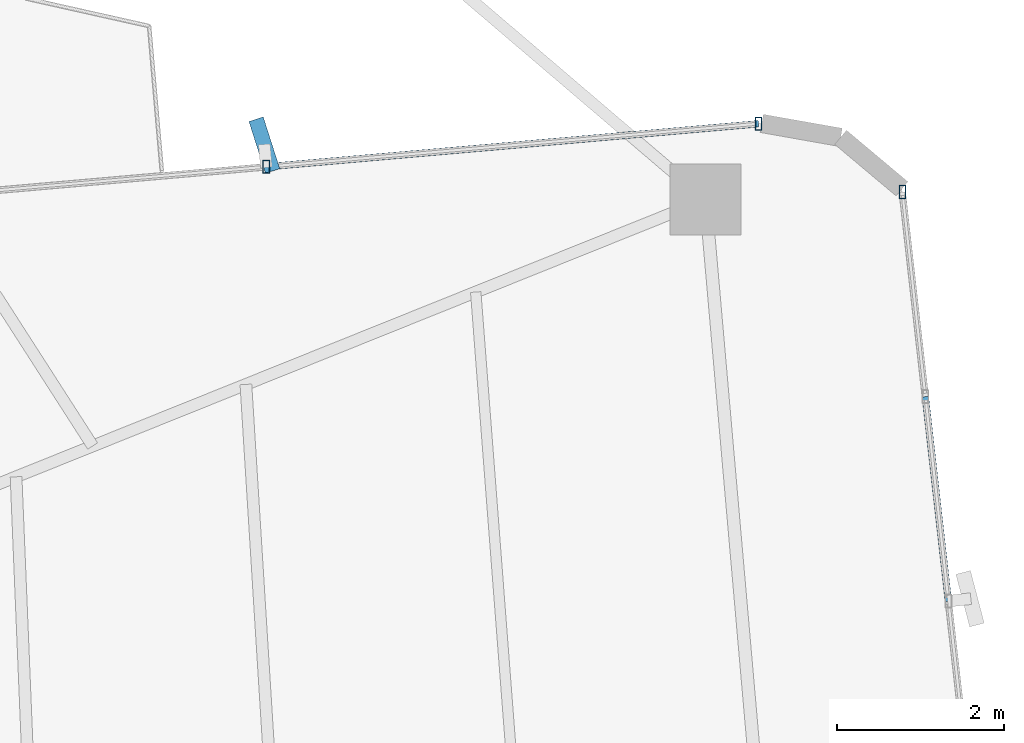
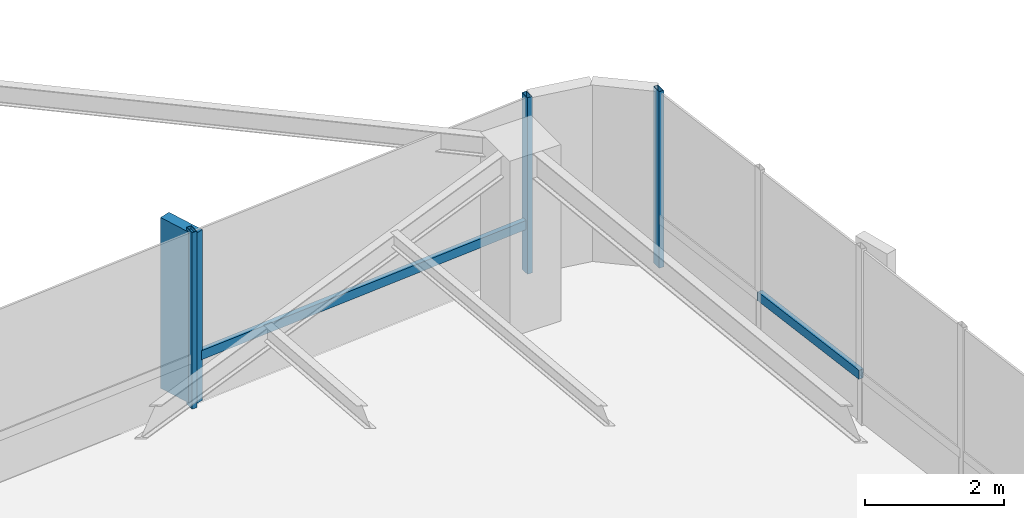
# One storey, part 15 of 24: 6 members, 2 elements without a shape of their own.
"""IFC4 building model written with IfcOpenShell, lengths in metres."""

import ifcopenshell
import ifcopenshell.guid

model = None  # the IFC model being written
_history = None  # IfcOwnerHistory: only IFC2X3 demands one
_inside = {}  # id of a spatial element -> (the spatial element, [elements in it])
_under = {}  # id of a project, library or spatial element -> (it, [spatial elements below it])
_declared = {}  # id of a project -> (the project, [libraries it declares])
_typed = {}  # id of a type object -> (the type object, [elements of that type])
_made_of = {}  # id of a material, layer set ... -> (it, [elements and type objects made of it])


def new_model(schema):
    """Start an empty IFC model of exactly this schema.

    Asked for "IFC4X3", IfcOpenShell would pick the latest addendum, in which some entities
    have other attributes; the version numbers below select the first issue.
    IFC2X3 requires an IfcOwnerHistory on every rooted entity: one is made here for all.
    """
    global model, _history
    if schema == "IFC4X3":
        model = ifcopenshell.file(schema_version=(4, 3, 0, 0))
    else:
        model = ifcopenshell.file(schema=schema)
    _inside.clear()
    _under.clear()
    _declared.clear()
    _typed.clear()
    _made_of.clear()
    _history = None
    if model.schema == "IFC2X3":
        org = make("IfcOrganization", Name="unknown")
        user = make(
            "IfcPersonAndOrganization",
            ThePerson=make("IfcPerson", FamilyName="unknown"),
            TheOrganization=org,
        )
        app = make(
            "IfcApplication",
            ApplicationDeveloper=org,
            Version="unknown",
            ApplicationFullName="unknown",
            ApplicationIdentifier="unknown",
        )
        _history = make(
            "IfcOwnerHistory",
            OwningUser=user,
            OwningApplication=app,
            ChangeAction="ADDED",
            CreationDate=0,
        )
    return model


def make(cls, **values):
    """One entity of the class cls with the attributes given. An attribute that is None is left unset."""
    return model.create_entity(
        cls, **{name: value for name, value in values.items() if value is not None}
    )


def rooted(cls, **values):
    """An entity with a GlobalId (a new one), such as an element, a storey or a relation."""
    return make(cls, GlobalId=ifcopenshell.guid.new(), OwnerHistory=_history, **values)


def si_unit(unit_type, name, prefix=None):
    """IfcSIUnit, for example si_unit("LENGTHUNIT", "METRE", prefix="MILLI")."""
    return make("IfcSIUnit", UnitType=unit_type, Prefix=prefix, Name=name)


def assignment(units):
    """IfcUnitAssignment: the units of a project."""
    return None if units is None else make("IfcUnitAssignment", Units=units)


def point(xyz):
    """IfcCartesianPoint."""
    return None if xyz is None else make("IfcCartesianPoint", Coordinates=xyz)


def direction(xyz):
    """IfcDirection."""
    return None if xyz is None else make("IfcDirection", DirectionRatios=xyz)


def frame(location, z_axis=None, x_axis=None):
    """IfcAxis2Placement3D, a coordinate frame: its origin and axes. An axis left out is left unset."""
    return make(
        "IfcAxis2Placement3D",
        Location=point(location),
        Axis=direction(z_axis),
        RefDirection=direction(x_axis),
    )


def frame_2d(location, x_axis=None):
    """IfcAxis2Placement2D, a coordinate frame in the plane: its origin and x axis."""
    return make(
        "IfcAxis2Placement2D", Location=point(location), RefDirection=direction(x_axis)
    )


def origin():
    """The frame at (0, 0, 0) with its axes left unset."""
    return frame((0.0, 0.0, 0.0))


def origin_2d():
    """The frame at (0, 0) in the plane with its x axis left unset."""
    return frame_2d((0.0, 0.0))


def place(relative_to, where):
    """IfcLocalPlacement: puts the frame where relative to a parent placement (None: the world)."""
    return make(
        "IfcLocalPlacement", PlacementRelTo=relative_to, RelativePlacement=where
    )


def context(
    kind, dimensions, precision=None, world=None, true_north=None, identifier=None
):
    """IfcGeometricRepresentationContext, for example the 3D "Model" context."""
    return make(
        "IfcGeometricRepresentationContext",
        ContextIdentifier=identifier,
        ContextType=kind,
        CoordinateSpaceDimension=dimensions,
        Precision=precision,
        WorldCoordinateSystem=world,
        TrueNorth=true_north,
    )


def subcontext(parent, identifier, kind, view, scale=None):
    """IfcGeometricRepresentationSubContext, for example "Body" below "Model"."""
    return make(
        "IfcGeometricRepresentationSubContext",
        ContextIdentifier=identifier,
        ContextType=kind,
        ParentContext=parent,
        TargetScale=scale,
        TargetView=view,
    )


def project(units=None, contexts=None):
    """IfcProject with its units and contexts."""
    return rooted(
        "IfcProject",
        Name="project",
        RepresentationContexts=contexts,
        UnitsInContext=assignment(units),
    )


def spatial(cls, under=None, at=None, **own):
    """A site, building, storey or space (cls), placed at a placement, below another one or the project."""
    s = rooted(cls, ObjectPlacement=at, **own)
    if under is not None:
        _under.setdefault(under.id(), (under, []))[1].append(s)
    return s


def profile(cls, at=None, kind="AREA", **sizes):
    """A parametric profile (cls). Its sizes go by their IFC names, for example OverallWidth=200.0."""
    return make(cls, ProfileType=kind, Position=at, **sizes)


def rectangle(**sizes):
    """IfcRectangleProfileDef."""
    return profile("IfcRectangleProfileDef", **sizes)


def hollow_rectangle(**sizes):
    """IfcRectangleHollowProfileDef."""
    return profile("IfcRectangleHollowProfileDef", **sizes)


def extrude(swept, where, along, depth):
    """IfcExtrudedAreaSolid: the profile swept, set in the frame where, extruded along a direction by depth."""
    return make(
        "IfcExtrudedAreaSolid",
        SweptArea=swept,
        Position=where,
        ExtrudedDirection=direction(along),
        Depth=depth,
    )


def shape(context_of_items, identifier, shape_type, items):
    """IfcShapeRepresentation: the items that make up one representation, for example the "Body"."""
    return make(
        "IfcShapeRepresentation",
        ContextOfItems=context_of_items,
        RepresentationIdentifier=identifier,
        RepresentationType=shape_type,
        Items=items,
    )


def source(mapping_origin, context_of_items, identifier, shape_type, items):
    """IfcRepresentationMap: a shape defined once, which mapped items show again and again."""
    return make(
        "IfcRepresentationMap",
        MappingOrigin=mapping_origin,
        MappedRepresentation=shape(context_of_items, identifier, shape_type, items),
    )


def transform(
    local_origin,
    x_axis=None,
    y_axis=None,
    z_axis=None,
    scale=None,
    scale2=None,
    scale3=None,
    uniform=True,
):
    """IfcCartesianTransformationOperator3D, or its non-uniform kind. x_axis, y_axis, z_axis: its Axis1, 2, 3."""
    if uniform:
        return make(
            "IfcCartesianTransformationOperator3D",
            Axis1=direction(x_axis),
            Axis2=direction(y_axis),
            LocalOrigin=point(local_origin),
            Scale=scale,
            Axis3=direction(z_axis),
        )
    return make(
        "IfcCartesianTransformationOperator3DnonUniform",
        Axis1=direction(x_axis),
        Axis2=direction(y_axis),
        LocalOrigin=point(local_origin),
        Scale=scale,
        Axis3=direction(z_axis),
        Scale2=scale2,
        Scale3=scale3,
    )


def mapped(mapping_source, mapping_target):
    """IfcMappedItem: shows the shape of a source again, moved by a transform."""
    return make(
        "IfcMappedItem", MappingSource=mapping_source, MappingTarget=mapping_target
    )


def material(Name=None, Category=None):
    """IfcMaterial."""
    return make("IfcMaterial", Name=Name, Category=Category)


def material_profile(
    of_material, cross_section, Name=None, Category=None, Priority=None
):
    """IfcMaterialProfile: a cross section and its material."""
    return make(
        "IfcMaterialProfile",
        Name=Name,
        Material=of_material,
        Profile=cross_section,
        Priority=Priority,
        Category=Category,
    )


def profile_set(profiles, Name=None, composite=None):
    """IfcMaterialProfileSet."""
    return make(
        "IfcMaterialProfileSet",
        Name=Name,
        MaterialProfiles=profiles,
        CompositeProfile=composite,
    )


def made_of(thing, what):
    """Note that an element or type object is made of a material, layer set ...; save() writes the relation."""
    if what is not None:
        _made_of.setdefault(what.id(), (what, []))[1].append(thing)
    return thing


def type_object(cls, material=None, **own):
    """A type object (cls), such as IfcWallType, which elements share."""
    return made_of(rooted(cls, **own), material)


def element(
    cls,
    number,
    at=None,
    inside=None,
    cuts=None,
    type_object=None,
    material=None,
    context=None,
    identifier="Body",
    shape_type=None,
    held_by="IfcProductDefinitionShape",
    body=None,
    shapes=None,
    **own,
):
    """One element of the class cls, such as IfcWall. Its Tag is "e" and its number.

    at: its placement. inside: the storey or other place that contains it. cuts: it is an
    opening in that element (IfcRelVoidsElement). A single representation is given by context,
    identifier, shape_type and body (its items); several are given by shapes. held_by: the class
    of the entity that holds the representations. save() writes the other relations.
    """
    e = rooted(cls, Tag="e%d" % number, ObjectPlacement=at, **own)
    if body is not None:
        shapes = [shape(context, identifier, shape_type, body)]
    if shapes is not None:
        e.Representation = make(held_by, Representations=shapes)
    if inside is not None:
        _inside.setdefault(inside.id(), (inside, []))[1].append(e)
    if cuts is not None:
        rooted(
            "IfcRelVoidsElement", RelatingBuildingElement=cuts, RelatedOpeningElement=e
        )
    if type_object is not None:
        _typed.setdefault(type_object.id(), (type_object, []))[1].append(e)
    return made_of(e, material)


def aggregate(whole, parts):
    """IfcRelAggregates: a whole, such as a stair, and the parts it consists of."""
    return rooted("IfcRelAggregates", RelatingObject=whole, RelatedObjects=parts)


def save(model, path):
    """Write the relations noted so far, then the file.

    IfcRelAggregates (storeys below a building ...), IfcRelContainedInSpatialStructure (elements
    in a storey), IfcRelDefinesByType, IfcRelAssociatesMaterial and IfcRelDeclares: one each for
    every whole, place, type object, material and project.
    """
    for whole, parts in _under.values():
        aggregate(whole, parts)
    for where, things in _inside.values():
        rooted(
            "IfcRelContainedInSpatialStructure",
            RelatedElements=things,
            RelatingStructure=where,
        )
    for kind, things in _typed.values():
        rooted("IfcRelDefinesByType", RelatedObjects=things, RelatingType=kind)
    for what, things in _made_of.values():
        rooted("IfcRelAssociatesMaterial", RelatedObjects=things, RelatingMaterial=what)
    for by, libraries in _declared.values():
        rooted("IfcRelDeclares", RelatingContext=by, RelatedDefinitions=libraries)
    model.write(path)


model = new_model("IFC4")

# Units and contexts
model_context = context("Model", 3, precision=1e-05, world=origin(), true_north=direction((0.0, 1.0)))
body_context = subcontext(model_context, "Body", "Model", "MODEL_VIEW")
ifc_project = project(units=[si_unit("LENGTHUNIT", "METRE"), si_unit("AREAUNIT", "SQUARE_METRE"), si_unit("VOLUMEUNIT", "CUBIC_METRE"), si_unit("PLANEANGLEUNIT", "RADIAN"), si_unit("MASSUNIT", "GRAM", prefix="KILO")], contexts=[model_context])

# Site, building, storey
site_placement = place(None, origin())
site = spatial("IfcSite", under=ifc_project, at=site_placement, CompositionType="ELEMENT")
building_placement = place(site_placement, origin())
building = spatial("IfcBuilding", under=site, at=building_placement, Name="Sahyath Konkavel Grand Hotel", CompositionType="ELEMENT")
storey_placement = place(building_placement, frame((0.0, 0.0, 160.64990234375)))
storey = spatial("IfcBuildingStorey", under=building, at=storey_placement, Name="L44", CompositionType="ELEMENT", Elevation=160.64990234375)

# Curtain wall, member
ifc_material_1 = material(Name="Anodised Bronze Aluminium & Low-E Glazing", Category="aluminium")
curtain_wall_type = type_object("IfcCurtainWallType", Name="CW-ZONE3", PredefinedType="NOTDEFINED", material=ifc_material_1)
curtain_wall_1_placement = place(storey_placement, origin())
curtain_wall_1 = element("IfcCurtainWall", 1, at=curtain_wall_1_placement, inside=storey, type_object=curtain_wall_type, Name="L44 Unitised Curtain Wall F7", PredefinedType="NOTDEFINED")
ifc_material_2 = material(Name="Warm Buff Sandstone Cladding on Concrete C50/60", Category="masonry")
ifc_material_profile_1 = material_profile(ifc_material_2, rectangle(XDim=0.179931640625, YDim=0.64990234375, at=origin_2d()), Name="FIN 180x650")
ifc_profile_set_1 = profile_set([ifc_material_profile_1], Name="Warm Buff Sandstone Cladding on Concrete C50/60")
member_type_1 = type_object("IfcMemberType", Name="FIN-SANDSTONE-650", PredefinedType="MULLION", material=ifc_profile_set_1)
shared_shape_1 = source(origin(), body_context, "Body", "SweptSolid", [
    extrude(rectangle(XDim=0.179931640625, YDim=0.64990234375, at=origin_2d()), origin(), (0.0, 0.0, 1.0), 3.010009765625),
])
member_1_placement = place(storey_placement, frame((11.677001953125, 7.656982421875, 0.050048828125), z_axis=(0.0, 0.0, 1.0), x_axis=(0.952502159334, 0.304531831612, 0.0)))
member_1 = element("IfcMember", 2, at=member_1_placement, type_object=member_type_1, Name="L44 Sandstone Vertical Solar Fin FIN F7-1", PredefinedType="MULLION", context=body_context, shape_type="MappedRepresentation", body=[
    mapped(shared_shape_1, transform((0.0, 0.0, 0.0), scale=1.0)),
])

curtain_wall_2_placement = place(storey_placement, origin())
curtain_wall_2 = element("IfcCurtainWall", 3, at=curtain_wall_2_placement, inside=storey, type_object=curtain_wall_type, Name="L44 Unitised Curtain Wall F4", PredefinedType="NOTDEFINED")
ifc_material_3 = material(Name="Anodised Bronze Aluminium", Category="aluminium")
ifc_material_profile_2 = material_profile(ifc_material_3, hollow_rectangle(XDim=0.080078125, YDim=0.159912109375, WallThickness=0.006103515625, at=origin_2d()), Name="RHS 160x80x6")
ifc_profile_set_2 = profile_set([ifc_material_profile_2], Name="Anodised Bronze Aluminium")
member_type_2 = type_object("IfcMemberType", Name="CW-MUL-160", PredefinedType="MULLION", material=ifc_profile_set_2)
shared_shape_2 = source(origin(), body_context, "Body", "SweptSolid", [
    extrude(hollow_rectangle(XDim=0.080078125, YDim=0.159912109375, WallThickness=0.006103515625, at=origin_2d()), origin(), (0.0, 0.0, 1.0), 3.110107421875),
])
member_2_placement = place(storey_placement, frame((19.308349609375, 7.094970703125, 0.0), z_axis=(0.0, 0.0, 1.0), x_axis=(1.0, 0.0, 0.0)))
member_2 = element("IfcMember", 4, at=member_2_placement, type_object=member_type_2, Name="L44 Curtain Wall Mullion F4-4", PredefinedType="MULLION", context=body_context, shape_type="MappedRepresentation", body=[
    mapped(shared_shape_2, transform((0.0, 0.0, 0.0), scale=1.0)),
])

# Member
member_3_placement = place(storey_placement, frame((17.58740234375, 7.912841796875, 0.0), z_axis=(0.0, 0.0, 1.0), x_axis=(1.0, 0.0, 0.0)))
member_3 = element("IfcMember", 5, at=member_3_placement, type_object=member_type_2, Name="L44 Curtain Wall Mullion F7-0", PredefinedType="MULLION", context=body_context, shape_type="MappedRepresentation", body=[
    mapped(shared_shape_2, transform((0.0, 0.0, 0.0), scale=1.0)),
])

member_4_placement = place(storey_placement, frame((11.69970703125, 7.39794921875, 0.0), z_axis=(0.0, 0.0, 1.0), x_axis=(1.0, 0.0, 0.0)))
member_4 = element("IfcMember", 6, at=member_4_placement, type_object=member_type_2, Name="L44 Curtain Wall Mullion F7-1", PredefinedType="MULLION", context=body_context, shape_type="MappedRepresentation", body=[
    mapped(shared_shape_2, transform((0.0, 0.0, 0.0), scale=1.0)),
])

ifc_material_profile_3 = material_profile(ifc_material_3, hollow_rectangle(XDim=0.080078125, YDim=0.159912109375, WallThickness=0.006103515625, at=origin_2d()), Name="RHS 160x80x6")
ifc_profile_set_3 = profile_set([ifc_material_profile_3], Name="Anodised Bronze Aluminium")
member_type_3 = type_object("IfcMemberType", Name="CW-TRN-160", PredefinedType="USERDEFINED", material=ifc_profile_set_3)
shared_shape_3 = source(origin(), body_context, "Body", "SweptSolid", [
    extrude(hollow_rectangle(XDim=0.080078125, YDim=0.159912109375, WallThickness=0.006103515625, at=origin_2d()), origin(), (0.0, 0.0, 1.0), 2.461669921875),
])
member_5_placement = place(storey_placement, frame((19.859619140625, 2.201904296875, 0.85009765625), z_axis=(-0.111966154832, 0.993712020744, 0.0), x_axis=(-0.993712020744, -0.111966154832, 0.0)))
member_5 = element("IfcMember", 7, at=member_5_placement, type_object=member_type_3, Name="L44 Curtain Wall Transom F4-2-spandrel", ObjectType="TRANSOM", PredefinedType="USERDEFINED", context=body_context, shape_type="MappedRepresentation", body=[
    mapped(shared_shape_3, transform((0.0, 0.0, 0.0), scale=1.0)),
])

aggregate(curtain_wall_2, [member_2, member_5])

shared_shape_4 = source(origin(), body_context, "Body", "SweptSolid", [
    extrude(hollow_rectangle(XDim=0.080078125, YDim=0.159912109375, WallThickness=0.006103515625, at=origin_2d()), origin(), (0.0, 0.0, 1.0), 5.91015625),
])
member_6_placement = place(storey_placement, frame((17.58740234375, 7.912841796875, 0.85009765625), z_axis=(-0.996197841474, -0.087119806256, 0.0), x_axis=(0.087119806256, -0.996197841474, 0.0)))
member_6 = element("IfcMember", 8, at=member_6_placement, type_object=member_type_3, Name="L44 Curtain Wall Transom F7-0-spandrel", ObjectType="TRANSOM", PredefinedType="USERDEFINED", context=body_context, shape_type="MappedRepresentation", body=[
    mapped(shared_shape_4, transform((0.0, 0.0, 0.0), scale=1.0)),
])

aggregate(curtain_wall_1, [member_3, member_4, member_1, member_6])

save(model, "model.ifc")
